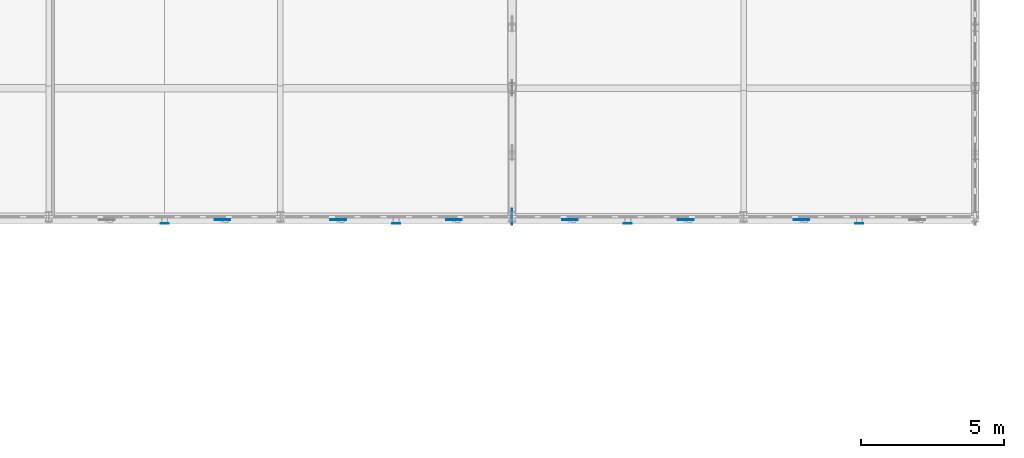
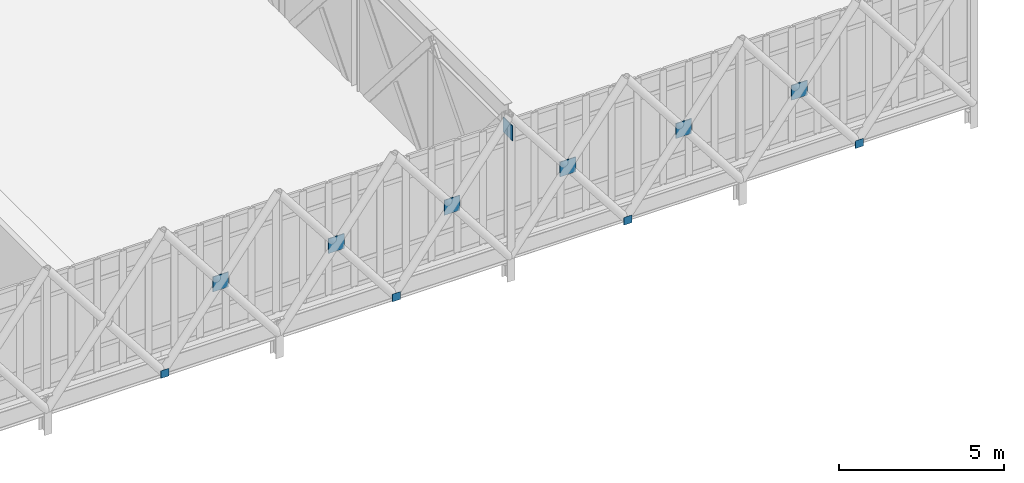
# One storey, part 84 of 107: 11 plates.
"""IFC4 building model written with IfcOpenShell, lengths in metres."""

from ifc_helpers import new_model, si_unit, direction, frame, origin, origin_2d, place, context, subcontext, project, spatial, rectangle, extrude, material, layer, layer_set, type_object, element, save


model = new_model("IFC4")

# Units and contexts
model_context = context("Model", 3, precision=1e-05, world=origin(), true_north=direction((0.0, 1.0)))
body_context = subcontext(model_context, "Body", "Model", "MODEL_VIEW")
ifc_project = project(units=[si_unit("LENGTHUNIT", "METRE"), si_unit("AREAUNIT", "SQUARE_METRE"), si_unit("VOLUMEUNIT", "CUBIC_METRE"), si_unit("PLANEANGLEUNIT", "RADIAN"), si_unit("MASSUNIT", "GRAM", prefix="KILO")], contexts=[model_context])

# Site, building, storey
site_placement = place(None, origin())
site = spatial("IfcSite", under=ifc_project, at=site_placement, CompositionType="ELEMENT")
building_placement = place(site_placement, origin())
building = spatial("IfcBuilding", under=site, at=building_placement, Name="Tarnveldt Square Police Headquarters", CompositionType="ELEMENT")
storey_placement = place(building_placement, frame((0.0, 0.0, 14.699951171875)))
storey = spatial("IfcBuildingStorey", under=building, at=storey_placement, Name="L03", CompositionType="ELEMENT", Elevation=14.699951171875)

# Plates
ifc_material = material(Name="Steel 350W", Category="steel")
ifc_layer_1 = layer(ifc_material, 0.011962890625)
ifc_layer_set_1 = layer_set([ifc_layer_1], Name="Steel 350W")
plate_type_1 = type_object("IfcPlateType", Name="PLT-CAP-12", PredefinedType="USERDEFINED", material=ifc_layer_set_1)
for number, where, z_axis, x_axis, name in (
    (1, (36.449951171875, 6.77001953125, -0.8828125), (0.0, 0.0, 1.0), (1.0, 0.0, 0.0), "Node KN-LT1 HSS End Cap Plate S-L03-4"),
    (2, (44.550048828125, 6.77001953125, -0.8828125), (0.0, 0.0, 1.0), (1.0, 0.0, 0.0), "Node KN-LT1 HSS End Cap Plate S-L03-5"),
    (3, (52.64990234375, 6.77001953125, -0.8828125), (0.0, 0.0, 1.0), (1.0, 0.0, 0.0), "Node KN-LT1 HSS End Cap Plate S-L03-6"),
    (4, (60.75, 6.77001953125, -0.8828125), (0.0, 0.0, 1.0), (1.0, 0.0, 0.0), "Node KN-LT1 HSS End Cap Plate S-L03-7"),
):
    element("IfcPlate", number, at=place(storey_placement, frame(where, z_axis=z_axis, x_axis=x_axis)), inside=storey, type_object=plate_type_1, Name=name, ObjectType="END CAP PLATE", PredefinedType="USERDEFINED", context=body_context, shape_type="SweptSolid", body=[
        extrude(rectangle(XDim=0.280029296875, YDim=0.011962890625, at=origin_2d()), origin(), (0.0, 0.0, 1.0), 0.280029296875),
    ])
ifc_layer_2 = layer(ifc_material, 0.031982421875)
ifc_layer_set_2 = layer_set([ifc_layer_2], Name="Steel 350W")
plate_type_2 = type_object("IfcPlateType", Name="PLT-GUS-32", PredefinedType="SHEET", material=ifc_layer_set_2)
plate_placement = place(storey_placement, frame((48.60009765625, 7.0, 3.6318359375), z_axis=(0.0, 0.0, 1.0), x_axis=(1.0, 0.0, 0.0)))
element("IfcPlate", 5, at=plate_placement, inside=storey, type_object=plate_type_2, Name="Node KN-CT3.7 Gusset Plate", PredefinedType="SHEET", context=body_context, shape_type="SweptSolid", body=[
    extrude(rectangle(XDim=0.031982421875, YDim=0.550048828125, at=origin_2d()), origin(), (0.0, 0.0, 1.0), 0.550048828125),
])
for number, where, z_axis, x_axis, name in (
    (6, (38.47509765625, 6.89990234375, 1.58203125), (0.0, 0.0, 1.0), (1.0, 0.0, 0.0), "Command Lantern S Lattice Crossing Gusset Plate 4.2"),
    (7, (42.52490234375, 6.89990234375, 1.58203125), (0.0, 0.0, 1.0), (1.0, 0.0, 0.0), "Command Lantern S Lattice Crossing Gusset Plate 5.1"),
    (8, (46.574951171875, 6.89990234375, 1.58203125), (0.0, 0.0, 1.0), (1.0, 0.0, 0.0), "Command Lantern S Lattice Crossing Gusset Plate 5.2"),
    (9, (50.625, 6.89990234375, 1.58203125), (0.0, 0.0, 1.0), (1.0, 0.0, 0.0), "Command Lantern S Lattice Crossing Gusset Plate 6.1"),
    (10, (54.675048828125, 6.89990234375, 1.58203125), (0.0, 0.0, 1.0), (1.0, 0.0, 0.0), "Command Lantern S Lattice Crossing Gusset Plate 6.2"),
    (11, (58.72509765625, 6.89990234375, 1.58203125), (0.0, 0.0, 1.0), (1.0, 0.0, 0.0), "Command Lantern S Lattice Crossing Gusset Plate 7.1"),
):
    element("IfcPlate", number, at=place(storey_placement, frame(where, z_axis=z_axis, x_axis=x_axis)), inside=storey, type_object=plate_type_2, Name=name, PredefinedType="SHEET", context=body_context, shape_type="SweptSolid", body=[
        extrude(rectangle(XDim=0.550048828125, YDim=0.031982421875, at=origin_2d()), origin(), (0.0, 0.0, 1.0), 0.550048828125),
    ])

save(model, "model.ifc")
